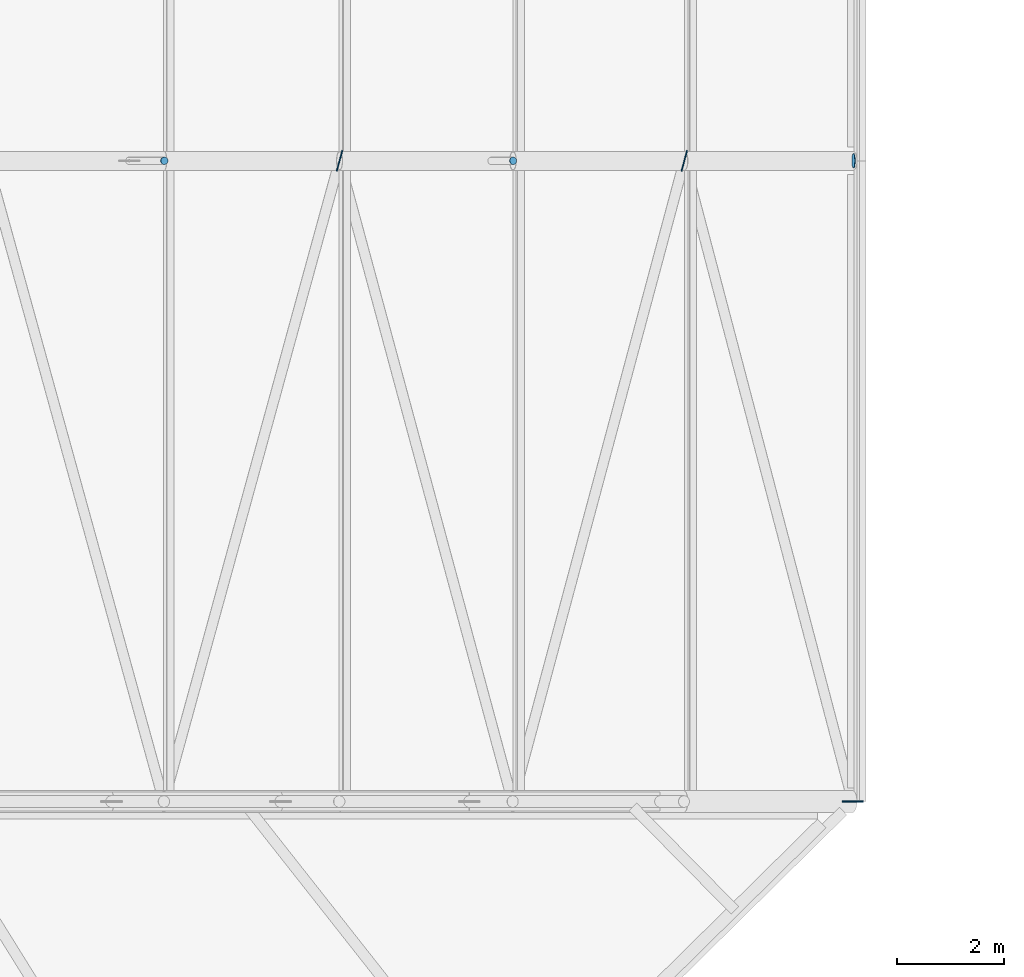
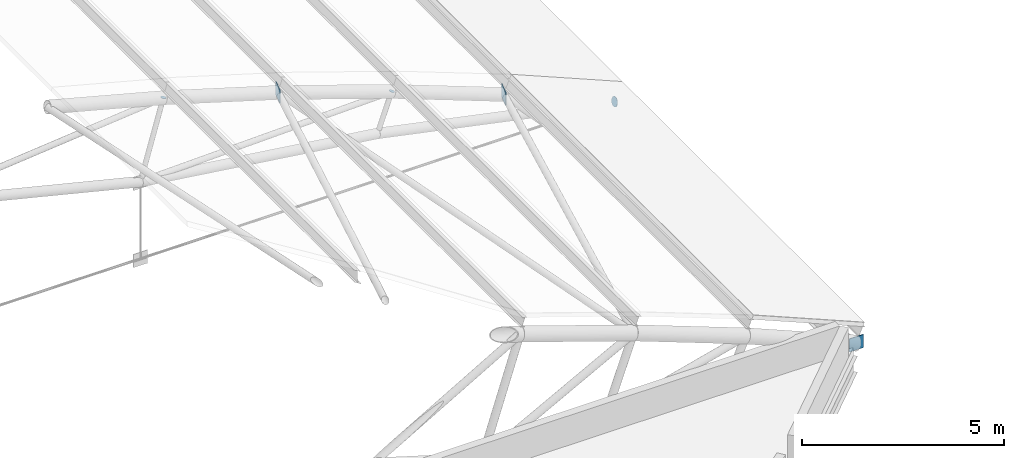
# One storey, part 268 of 321: 6 discrete accessories.
"""IFC4 building model written with IfcOpenShell, lengths in metres."""

from ifc_helpers import new_model, si_unit, direction, frame, origin, origin_2d, place, context, subcontext, project, spatial, rectangle, circle, extrude, material, material_profile, profile_set, type_object, element, save


model = new_model("IFC4")

# Units and contexts
model_context = context("Model", 3, precision=1e-05, world=origin(), true_north=direction((0.0, 1.0)))
body_context = subcontext(model_context, "Body", "Model", "MODEL_VIEW")
ifc_project = project(units=[si_unit("LENGTHUNIT", "METRE"), si_unit("AREAUNIT", "SQUARE_METRE"), si_unit("VOLUMEUNIT", "CUBIC_METRE"), si_unit("PLANEANGLEUNIT", "RADIAN"), si_unit("MASSUNIT", "GRAM", prefix="KILO")], contexts=[model_context])

# Site, building, storey
site_placement = place(None, origin())
site = spatial("IfcSite", under=ifc_project, at=site_placement, CompositionType="ELEMENT")
building_placement = place(site_placement, origin())
building = spatial("IfcBuilding", under=site, at=building_placement, Name="Ravi Spectrum Wholesale Market", CompositionType="ELEMENT")
storey_placement = place(building_placement, frame((0.0, 0.0, 10.800048828125)))
storey = spatial("IfcBuildingStorey", under=building, at=storey_placement, Name="L02", CompositionType="ELEMENT", Elevation=10.800048828125)

# Discrete accessories
ifc_material_1 = material(Name="Steel S355", Category="steel")
ifc_material_profile_1 = material_profile(ifc_material_1, circle(Radius=0.06982421875, at=origin_2d()))
ifc_profile_set_1 = profile_set([ifc_material_profile_1], Name="Steel S355")
discrete_accessory_type_1 = type_object("IfcDiscreteAccessoryType", Name="End plate CHS 139.7x5", PredefinedType="BRACKET", material=ifc_profile_set_1)
for number, where, z_axis, x_axis, name in (
    (1, (97.103759765625, 42.0, 4.661376953125), (0.266586054538, 0.0, 0.963811120254), (0.0, 1.0, 0.0), "End plate"),
    (2, (103.636962890625, 42.0, 2.56494140625), (0.346650140872, 0.0, 0.937994498829), (0.0, 1.0, 0.0), "End plate"),
):
    element("IfcDiscreteAccessory", number, at=place(storey_placement, frame(where, z_axis=z_axis, x_axis=x_axis)), inside=storey, type_object=discrete_accessory_type_1, Name=name, PredefinedType="BRACKET", context=body_context, shape_type="SweptSolid", body=[
        extrude(circle(Radius=0.06982421875, at=origin_2d()), origin(), (0.0, 0.0, 1.0), 0.011962890625),
    ])
ifc_material_2 = material(Name="Steel S355", Category="steel")
ifc_material_profile_2 = material_profile(ifc_material_2, circle(Radius=0.136474609375, at=origin_2d()))
ifc_profile_set_2 = profile_set([ifc_material_profile_2], Name="Steel S355")
discrete_accessory_type_2 = type_object("IfcDiscreteAccessoryType", Name="End plate CHS 273x10", PredefinedType="BRACKET", material=ifc_profile_set_2)
discrete_accessory_placement = place(storey_placement, frame((110.01025390625, 42.0, 0.023193359375), z_axis=(0.978980419738, 0.0, -0.203954254112), x_axis=(0.0, 1.0, 0.0)))
element("IfcDiscreteAccessory", 3, at=discrete_accessory_placement, inside=storey, type_object=discrete_accessory_type_2, Name="End plate", PredefinedType="BRACKET", context=body_context, shape_type="SweptSolid", body=[
    extrude(circle(Radius=0.136474609375, at=origin_2d()), origin(), (0.0, 0.0, 1.0), 0.011962890625),
])
ifc_material_3 = material(Name="Steel S355", Category="steel")
ifc_material_profile_3 = material_profile(ifc_material_3, rectangle(XDim=0.39990234375, YDim=0.02001953125, at=origin_2d()))
ifc_profile_set_3 = profile_set([ifc_material_profile_3], Name="Steel S355")
discrete_accessory_type_3 = type_object("IfcDiscreteAccessoryType", Name="Gusset plate 400x400x20", PredefinedType="BRACKET", material=ifc_profile_set_3)
for number, where, z_axis, x_axis, name in (
    (4, (100.388427734375, 42.0, 3.469482421875), (0.0, 0.0, 1.0), (0.264532113416, 0.964376877041, 0.0), "Gusset plate"),
    (5, (106.845458984375, 42.0, 1.149169921875), (0.0, 0.0, 1.0), (0.258948940898, 0.965891011454, 0.0), "Gusset plate"),
    (6, (110.0, 30.0, -0.199951171875), (0.0, 0.0, 1.0), (1.0, 0.0, 0.0), "Gusset plate"),
):
    element("IfcDiscreteAccessory", number, at=place(storey_placement, frame(where, z_axis=z_axis, x_axis=x_axis)), inside=storey, type_object=discrete_accessory_type_3, Name=name, PredefinedType="BRACKET", context=body_context, shape_type="SweptSolid", body=[
        extrude(rectangle(XDim=0.39990234375, YDim=0.02001953125, at=origin_2d()), origin(), (0.0, 0.0, 1.0), 0.39990234375),
    ])

save(model, "model.ifc")
